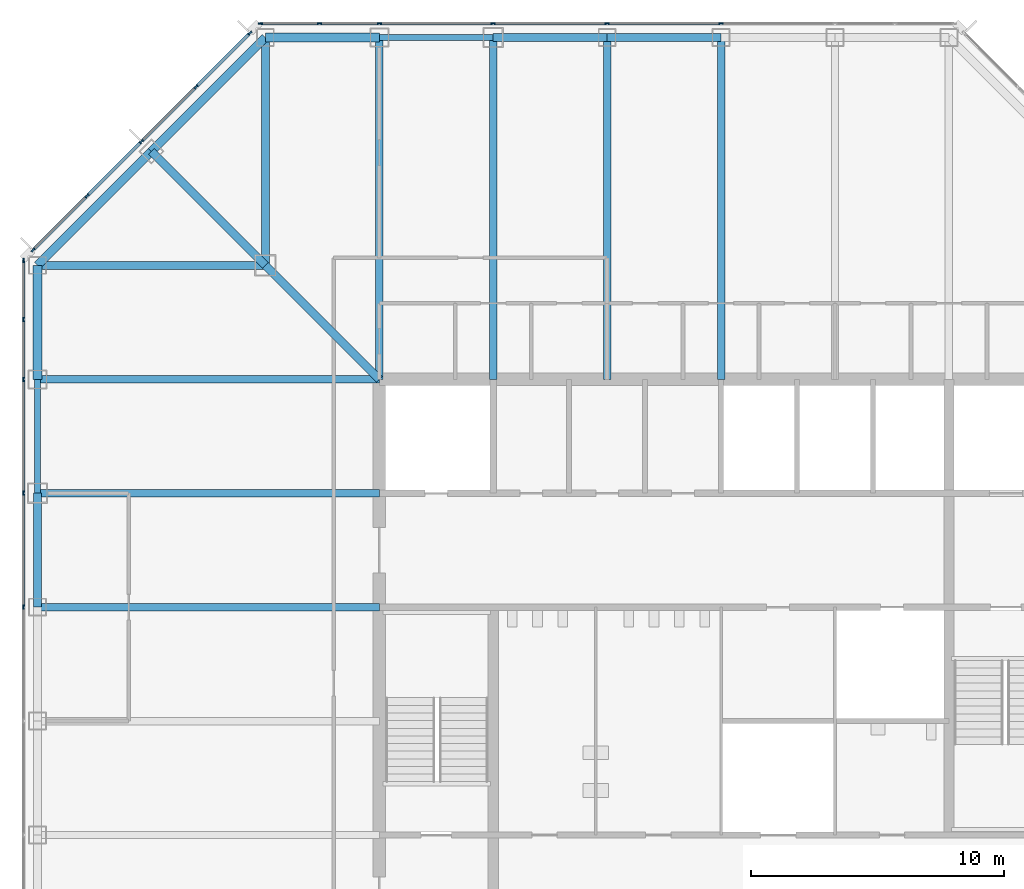
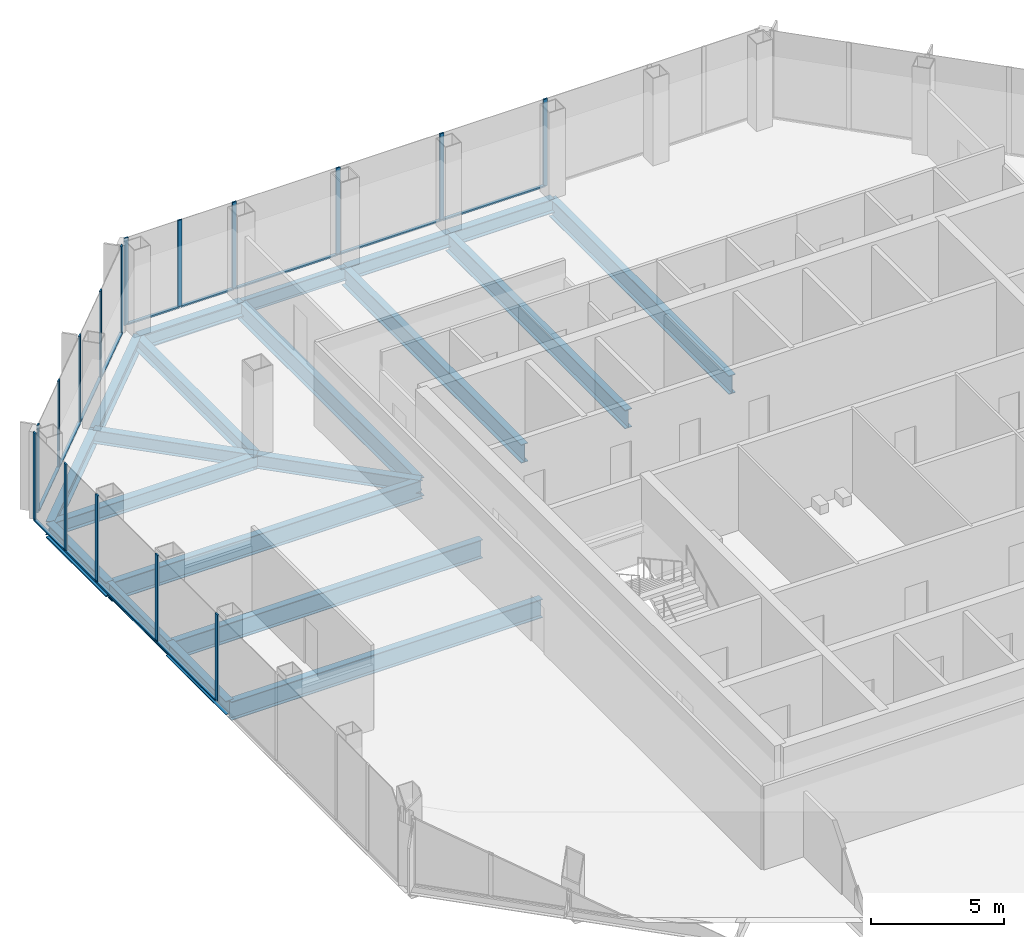
# One storey, part 5 of 12: 29 members, 20 beams, 3 elements without a shape of their own.
"""IFC4 building model written with IfcOpenShell, lengths in metres."""

from ifc_helpers import new_model, si_unit, direction, frame, origin, origin_2d, place, context, subcontext, project, spatial, rectangle, i_section, extrude, material, material_profile, profile_set, type_object, element, aggregate, save


model = new_model("IFC4")

# Units and contexts
model_context = context("Model", 3, precision=1e-05, world=origin(), true_north=direction((0.0, 1.0)))
body_context = subcontext(model_context, "Body", "Model", "MODEL_VIEW")
ifc_project = project(units=[si_unit("LENGTHUNIT", "METRE"), si_unit("AREAUNIT", "SQUARE_METRE"), si_unit("VOLUMEUNIT", "CUBIC_METRE"), si_unit("PLANEANGLEUNIT", "RADIAN"), si_unit("MASSUNIT", "GRAM", prefix="KILO")], contexts=[model_context])

# Site, building, storey
site_placement = place(None, origin())
site = spatial("IfcSite", under=ifc_project, at=site_placement, CompositionType="ELEMENT")
building_placement = place(site_placement, origin())
building = spatial("IfcBuilding", under=site, at=building_placement, Name="Corais Broadcast Tower", CompositionType="ELEMENT")
storey_placement = place(building_placement, frame((0.0, 0.0, 159.60009765625)))
storey = spatial("IfcBuildingStorey", under=building, at=storey_placement, Name="L36", CompositionType="ELEMENT", Elevation=159.60009765625)

# Beams
ifc_material_1 = material(Name="Steel ASTM A572 Grade 50", Category="steel")
ifc_material_profile_1 = material_profile(ifc_material_1, i_section(OverallWidth=0.323974609375, OverallDepth=0.611083984375, WebThickness=0.0126953125, FlangeThickness=0.01904296875, at=origin_2d()), Name="W610x155")
ifc_profile_set_1 = profile_set([ifc_material_profile_1], Name="Steel ASTM A572 Grade 50")
beam_type_1 = type_object("IfcBeamType", Name="Chamfer tie W610x155", PredefinedType="BEAM", material=ifc_profile_set_1)
beam_1_placement = place(storey_placement, frame((4.5, 49.5, -0.465576171875), z_axis=(0.707106781187, -0.707106781187, 0.0), x_axis=(0.707106781187, 0.707106781187, 0.0)))
element("IfcBeam", 1, at=beam_1_placement, inside=storey, type_object=beam_type_1, Name="B5 M/4 to L/5", PredefinedType="BEAM", context=body_context, shape_type="SweptSolid", body=[
    extrude(i_section(OverallWidth=0.323974609375, OverallDepth=0.611083984375, WebThickness=0.0126953125, FlangeThickness=0.01904296875, at=origin_2d()), origin(), (0.0, 0.0, 1.0), 6.364013671875),
])
ifc_material_2 = material(Name="Steel ASTM A572 Grade 50", Category="steel")
ifc_material_profile_2 = material_profile(ifc_material_2, i_section(OverallWidth=0.323974609375, OverallDepth=0.611083984375, WebThickness=0.0126953125, FlangeThickness=0.01904296875, at=origin_2d()), Name="W610x155")
ifc_profile_set_2 = profile_set([ifc_material_profile_2], Name="Steel ASTM A572 Grade 50")
beam_type_2 = type_object("IfcBeamType", Name="Corner diagonal W610x155", PredefinedType="BEAM", material=ifc_profile_set_2)
beam_2_placement = place(storey_placement, frame((9.0, 45.0, -0.465576171875), z_axis=(0.707106781187, -0.707106781187, 0.0), x_axis=(0.707106781187, 0.707106781187, 0.0)))
element("IfcBeam", 2, at=beam_2_placement, inside=storey, type_object=beam_type_2, Name="B6 L/5 to K/6", PredefinedType="BEAM", context=body_context, shape_type="SweptSolid", body=[
    extrude(i_section(OverallWidth=0.323974609375, OverallDepth=0.611083984375, WebThickness=0.0126953125, FlangeThickness=0.01904296875, at=origin_2d()), origin(), (0.0, 0.0, 1.0), 6.364013671875),
])
ifc_material_3 = material(Name="Steel ASTM A572 Grade 50", Category="steel")
ifc_material_profile_3 = material_profile(ifc_material_3, i_section(OverallWidth=0.323974609375, OverallDepth=0.611083984375, WebThickness=0.0126953125, FlangeThickness=0.01904296875, at=origin_2d()), Name="W610x155")
ifc_profile_set_3 = profile_set([ifc_material_profile_3], Name="Steel ASTM A572 Grade 50")
beam_type_3 = type_object("IfcBeamType", Name="Corner girder W610x155", PredefinedType="BEAM", material=ifc_profile_set_3)
for number, where, z_axis, x_axis, name in (
    (3, (0.0, 45.0, -0.465576171875), (1.0, 0.0, 0.0), (0.0, 1.0, 0.0), "B4 L/3 to L/5"),
    (4, (9.0, 54.0, -0.465576171875), (0.0, -1.0, 0.0), (1.0, 0.0, 0.0), "B4 N/5 to L/5"),
):
    element("IfcBeam", number, at=place(storey_placement, frame(where, z_axis=z_axis, x_axis=x_axis)), inside=storey, type_object=beam_type_3, Name=name, PredefinedType="BEAM", context=body_context, shape_type="SweptSolid", body=[
        extrude(i_section(OverallWidth=0.323974609375, OverallDepth=0.611083984375, WebThickness=0.0126953125, FlangeThickness=0.01904296875, at=origin_2d()), origin(), (0.0, 0.0, 1.0), 9.0),
    ])
ifc_material_4 = material(Name="Steel ASTM A572 Grade 50", Category="steel")
ifc_material_profile_4 = material_profile(ifc_material_4, i_section(OverallWidth=0.337890625, OverallDepth=0.677978515625, WebThickness=0.029541015625, FlangeThickness=0.052978515625, at=origin_2d()), Name="W610x415")
ifc_profile_set_4 = profile_set([ifc_material_profile_4], Name="Steel ASTM A572 Grade 50")
beam_type_4 = type_object("IfcBeamType", Name="Corner spandrel W610x415", PredefinedType="BEAM", material=ifc_profile_set_4)
for number, where, z_axis, x_axis, name in (
    (5, (0.0, 45.0, -0.4990234375), (0.0, -1.0, 0.0), (1.0, 0.0, 0.0), "SB10 L/3 to K/3"),
    (6, (13.5, 54.0, -0.4990234375), (-1.0, 0.0, 0.0), (0.0, -1.0, 0.0), "SB10 N/6 to N/5"),
):
    element("IfcBeam", number, at=place(storey_placement, frame(where, z_axis=z_axis, x_axis=x_axis)), inside=storey, type_object=beam_type_4, Name=name, PredefinedType="BEAM", context=body_context, shape_type="SweptSolid", body=[
        extrude(i_section(OverallWidth=0.337890625, OverallDepth=0.677978515625, WebThickness=0.029541015625, FlangeThickness=0.052978515625, at=origin_2d()), origin(), (0.0, 0.0, 1.0), 4.5),
    ])
ifc_material_5 = material(Name="Steel ASTM A572 Grade 50", Category="steel")
ifc_material_profile_5 = material_profile(ifc_material_5, i_section(OverallWidth=0.2939453125, OverallDepth=0.85107421875, WebThickness=0.01611328125, FlangeThickness=0.02685546875, at=origin_2d()), Name="W840x226")
ifc_profile_set_5 = profile_set([ifc_material_profile_5], Name="Steel ASTM A572 Grade 50")
beam_type_5 = type_object("IfcBeamType", Name="Floor beam W840x226", PredefinedType="BEAM", material=ifc_profile_set_5)
for number, where, z_axis, x_axis, name in (
    (7, (0.0, 31.5, -0.585693359375), (1.0, 0.0, 0.0), (0.0, 1.0, 0.0), "B1 H/3 to H/6"),
    (8, (0.0, 36.0, -0.585693359375), (1.0, 0.0, 0.0), (0.0, 1.0, 0.0), "B1 J/3 to J/6"),
    (9, (0.0, 40.5, -0.585693359375), (1.0, 0.0, 0.0), (0.0, 1.0, 0.0), "B1 K/3 to K/6"),
    (10, (13.5, 54.0, -0.585693359375), (0.0, -1.0, 0.0), (1.0, 0.0, 0.0), "B1 N/6 to K/6"),
    (11, (18.0, 54.0, -0.585693359375), (0.0, -1.0, 0.0), (1.0, 0.0, 0.0), "B1 N/7 to K/7"),
    (12, (22.5, 54.0, -0.585693359375), (0.0, -1.0, 0.0), (1.0, 0.0, 0.0), "B1 N/8 to K/8"),
    (13, (27.0, 54.0, -0.585693359375), (0.0, -1.0, 0.0), (1.0, 0.0, 0.0), "B1 N/9 to K/9"),
):
    element("IfcBeam", number, at=place(storey_placement, frame(where, z_axis=z_axis, x_axis=x_axis)), inside=storey, type_object=beam_type_5, Name=name, PredefinedType="BEAM", context=body_context, shape_type="SweptSolid", body=[
        extrude(i_section(OverallWidth=0.2939453125, OverallDepth=0.85107421875, WebThickness=0.01611328125, FlangeThickness=0.02685546875, at=origin_2d()), origin(), (0.0, 0.0, 1.0), 13.5),
    ])

# Curtain wall, members
ifc_material_6 = material(Name="Aluminium and glass", Category="aluminium")
curtain_wall_type = type_object("IfcCurtainWallType", Name="Unitised fritted curtain wall CW2", PredefinedType="NOTDEFINED", material=ifc_material_6)
curtain_wall_1_placement = place(storey_placement, origin())
curtain_wall_1 = element("IfcCurtainWall", 14, at=curtain_wall_1_placement, inside=storey, type_object=curtain_wall_type, Name="CW2 curtain wall L36 2", PredefinedType="NOTDEFINED")
ifc_material_7 = material(Name="Aluminium 6063-T6", Category="aluminium")
ifc_material_profile_6 = material_profile(ifc_material_7, rectangle(XDim=0.06494140625, YDim=0.179931640625, at=origin_2d()), Name="Mullion CW2 65x180")
ifc_profile_set_6 = profile_set([ifc_material_profile_6], Name="Aluminium 6063-T6")
member_type_1 = type_object("IfcMemberType", Name="Mullion CW2 65x180", PredefinedType="MULLION", material=ifc_profile_set_6)
member_1_placement = place(storey_placement, frame((-0.550048828125, 31.5, 0.0), z_axis=(0.0, 0.0, 1.0), x_axis=(-1.0, 0.0, 0.0)))
member_1 = element("IfcMember", 15, at=member_1_placement, type_object=member_type_1, Name="CW2 mullion 5", PredefinedType="MULLION", context=body_context, shape_type="SweptSolid", body=[
    extrude(rectangle(XDim=0.06494140625, YDim=0.179931640625, at=origin_2d()), origin(), (0.0, 0.0, 1.0), 4.0),
])
member_2_placement = place(storey_placement, frame((-0.550048828125, 36.0, 0.0), z_axis=(0.0, 0.0, 1.0), x_axis=(-1.0, 0.0, 0.0)))
member_2 = element("IfcMember", 16, at=member_2_placement, type_object=member_type_1, Name="CW2 mullion 6", PredefinedType="MULLION", context=body_context, shape_type="SweptSolid", body=[
    extrude(rectangle(XDim=0.06494140625, YDim=0.179931640625, at=origin_2d()), origin(), (0.0, 0.0, 1.0), 4.0),
])
member_3_placement = place(storey_placement, frame((-0.550048828125, 40.5, 0.0), z_axis=(0.0, 0.0, 1.0), x_axis=(-1.0, 0.0, 0.0)))
member_3 = element("IfcMember", 17, at=member_3_placement, type_object=member_type_1, Name="CW2 mullion 7", PredefinedType="MULLION", context=body_context, shape_type="SweptSolid", body=[
    extrude(rectangle(XDim=0.06494140625, YDim=0.179931640625, at=origin_2d()), origin(), (0.0, 0.0, 1.0), 4.0),
])
member_4_placement = place(storey_placement, frame((-0.550048828125, 42.864013671875, 0.0), z_axis=(0.0, 0.0, 1.0), x_axis=(-1.0, 0.0, 0.0)))
member_4 = element("IfcMember", 18, at=member_4_placement, type_object=member_type_1, Name="CW2 mullion 8", PredefinedType="MULLION", context=body_context, shape_type="SweptSolid", body=[
    extrude(rectangle(XDim=0.06494140625, YDim=0.179931640625, at=origin_2d()), origin(), (0.0, 0.0, 1.0), 4.0),
])
member_5_placement = place(storey_placement, frame((-0.550048828125, 45.1953125, 0.0), z_axis=(0.0, 0.0, 1.0), x_axis=(-1.0, 0.0, 0.0)))
member_5 = element("IfcMember", 19, at=member_5_placement, type_object=member_type_1, Name="CW2 mullion 9", PredefinedType="MULLION", context=body_context, shape_type="SweptSolid", body=[
    extrude(rectangle(XDim=0.06494140625, YDim=0.179931640625, at=origin_2d()), origin(), (0.0, 0.0, 1.0), 4.0),
])

curtain_wall_2_placement = place(storey_placement, origin())
curtain_wall_2 = element("IfcCurtainWall", 20, at=curtain_wall_2_placement, inside=storey, type_object=curtain_wall_type, Name="CW2 curtain wall L36 3", PredefinedType="NOTDEFINED")
member_6_placement = place(storey_placement, frame((-0.17333984375, 45.6044921875, 0.0), z_axis=(0.0, 0.0, 1.0), x_axis=(-0.707106781187, 0.707106781187, 0.0)))
member_6 = element("IfcMember", 21, at=member_6_placement, type_object=member_type_1, Name="CW2 mullion 1", PredefinedType="MULLION", context=body_context, shape_type="SweptSolid", body=[
    extrude(rectangle(XDim=0.06494140625, YDim=0.179931640625, at=origin_2d()), origin(), (0.0, 0.0, 1.0), 4.0),
])
member_7_placement = place(storey_placement, frame((1.957275390625, 47.735107421875, 0.0), z_axis=(0.0, 0.0, 1.0), x_axis=(-0.707106781187, 0.707106781187, 0.0)))
member_7 = element("IfcMember", 22, at=member_7_placement, type_object=member_type_1, Name="CW2 mullion 2", PredefinedType="MULLION", context=body_context, shape_type="SweptSolid", body=[
    extrude(rectangle(XDim=0.06494140625, YDim=0.179931640625, at=origin_2d()), origin(), (0.0, 0.0, 1.0), 4.0),
])
member_8_placement = place(storey_placement, frame((4.111083984375, 49.888916015625, 0.0), z_axis=(0.0, 0.0, 1.0), x_axis=(-0.707106781187, 0.707106781187, 0.0)))
member_8 = element("IfcMember", 23, at=member_8_placement, type_object=member_type_1, Name="CW2 mullion 3", PredefinedType="MULLION", context=body_context, shape_type="SweptSolid", body=[
    extrude(rectangle(XDim=0.06494140625, YDim=0.179931640625, at=origin_2d()), origin(), (0.0, 0.0, 1.0), 4.0),
])
member_9_placement = place(storey_placement, frame((6.264892578125, 52.042724609375, 0.0), z_axis=(0.0, 0.0, 1.0), x_axis=(-0.707106781187, 0.707106781187, 0.0)))
member_9 = element("IfcMember", 24, at=member_9_placement, type_object=member_type_1, Name="CW2 mullion 4", PredefinedType="MULLION", context=body_context, shape_type="SweptSolid", body=[
    extrude(rectangle(XDim=0.06494140625, YDim=0.179931640625, at=origin_2d()), origin(), (0.0, 0.0, 1.0), 4.0),
])
member_10_placement = place(storey_placement, frame((8.3955078125, 54.17333984375, 0.0), z_axis=(0.0, 0.0, 1.0), x_axis=(-0.707106781187, 0.707106781187, 0.0)))
member_10 = element("IfcMember", 25, at=member_10_placement, type_object=member_type_1, Name="CW2 mullion 5", PredefinedType="MULLION", context=body_context, shape_type="SweptSolid", body=[
    extrude(rectangle(XDim=0.06494140625, YDim=0.179931640625, at=origin_2d()), origin(), (0.0, 0.0, 1.0), 4.0),
])

curtain_wall_3_placement = place(storey_placement, origin())
curtain_wall_3 = element("IfcCurtainWall", 26, at=curtain_wall_3_placement, inside=storey, type_object=curtain_wall_type, Name="CW2 curtain wall L36 4", PredefinedType="NOTDEFINED")
member_11_placement = place(storey_placement, frame((8.8046875, 54.550048828125, 0.0), z_axis=(0.0, 0.0, 1.0), x_axis=(0.0, 1.0, 0.0)))
member_11 = element("IfcMember", 27, at=member_11_placement, type_object=member_type_1, Name="CW2 mullion 1", PredefinedType="MULLION", context=body_context, shape_type="SweptSolid", body=[
    extrude(rectangle(XDim=0.06494140625, YDim=0.179931640625, at=origin_2d()), origin(), (0.0, 0.0, 1.0), 4.0),
])
member_12_placement = place(storey_placement, frame((11.135986328125, 54.550048828125, 0.0), z_axis=(0.0, 0.0, 1.0), x_axis=(0.0, 1.0, 0.0)))
member_12 = element("IfcMember", 28, at=member_12_placement, type_object=member_type_1, Name="CW2 mullion 2", PredefinedType="MULLION", context=body_context, shape_type="SweptSolid", body=[
    extrude(rectangle(XDim=0.06494140625, YDim=0.179931640625, at=origin_2d()), origin(), (0.0, 0.0, 1.0), 4.0),
])
member_13_placement = place(storey_placement, frame((13.5, 54.550048828125, 0.0), z_axis=(0.0, 0.0, 1.0), x_axis=(0.0, 1.0, 0.0)))
member_13 = element("IfcMember", 29, at=member_13_placement, type_object=member_type_1, Name="CW2 mullion 3", PredefinedType="MULLION", context=body_context, shape_type="SweptSolid", body=[
    extrude(rectangle(XDim=0.06494140625, YDim=0.179931640625, at=origin_2d()), origin(), (0.0, 0.0, 1.0), 4.0),
])
member_14_placement = place(storey_placement, frame((18.0, 54.550048828125, 0.0), z_axis=(0.0, 0.0, 1.0), x_axis=(0.0, 1.0, 0.0)))
member_14 = element("IfcMember", 30, at=member_14_placement, type_object=member_type_1, Name="CW2 mullion 4", PredefinedType="MULLION", context=body_context, shape_type="SweptSolid", body=[
    extrude(rectangle(XDim=0.06494140625, YDim=0.179931640625, at=origin_2d()), origin(), (0.0, 0.0, 1.0), 4.0),
])
member_15_placement = place(storey_placement, frame((22.5, 54.550048828125, 0.0), z_axis=(0.0, 0.0, 1.0), x_axis=(0.0, 1.0, 0.0)))
member_15 = element("IfcMember", 31, at=member_15_placement, type_object=member_type_1, Name="CW2 mullion 5", PredefinedType="MULLION", context=body_context, shape_type="SweptSolid", body=[
    extrude(rectangle(XDim=0.06494140625, YDim=0.179931640625, at=origin_2d()), origin(), (0.0, 0.0, 1.0), 4.0),
])
member_16_placement = place(storey_placement, frame((27.0, 54.550048828125, 0.0), z_axis=(0.0, 0.0, 1.0), x_axis=(0.0, 1.0, 0.0)))
member_16 = element("IfcMember", 32, at=member_16_placement, type_object=member_type_1, Name="CW2 mullion 6", PredefinedType="MULLION", context=body_context, shape_type="SweptSolid", body=[
    extrude(rectangle(XDim=0.06494140625, YDim=0.179931640625, at=origin_2d()), origin(), (0.0, 0.0, 1.0), 4.0),
])

# Beams
ifc_material_8 = material(Name="Steel ASTM A572 Grade 50", Category="steel")
ifc_material_profile_7 = material_profile(ifc_material_8, i_section(OverallWidth=0.22900390625, OverallDepth=0.612060546875, WebThickness=0.011962890625, FlangeThickness=0.01953125, at=origin_2d()), Name="W610x125")
ifc_profile_set_7 = profile_set([ifc_material_profile_7], Name="Steel ASTM A572 Grade 50")
beam_type_6 = type_object("IfcBeamType", Name="Pinned spandrel W610x125", PredefinedType="BEAM", material=ifc_profile_set_7)
for number, where, z_axis, x_axis, name in (
    (33, (0.0, 40.5, -0.466064453125), (0.0, -1.0, 0.0), (1.0, 0.0, 0.0), "SB7 K/3 to J/3"),
    (34, (18.0, 54.0, -0.466064453125), (-1.0, 0.0, 0.0), (0.0, -1.0, 0.0), "SB7 N/7 to N/6"),
):
    element("IfcBeam", number, at=place(storey_placement, frame(where, z_axis=z_axis, x_axis=x_axis)), inside=storey, type_object=beam_type_6, Name=name, PredefinedType="BEAM", context=body_context, shape_type="SweptSolid", body=[
        extrude(i_section(OverallWidth=0.22900390625, OverallDepth=0.612060546875, WebThickness=0.011962890625, FlangeThickness=0.01953125, at=origin_2d()), origin(), (0.0, 0.0, 1.0), 4.5),
    ])
ifc_material_9 = material(Name="Steel ASTM A572 Grade 50", Category="steel")
ifc_material_profile_8 = material_profile(ifc_material_9, i_section(OverallWidth=0.3291015625, OverallDepth=0.635009765625, WebThickness=0.017822265625, FlangeThickness=0.031005859375, at=origin_2d()), Name="W610x241")
ifc_profile_set_8 = profile_set([ifc_material_profile_8], Name="Steel ASTM A572 Grade 50")
beam_type_7 = type_object("IfcBeamType", Name="Spandrel W610x241", PredefinedType="BEAM", material=ifc_profile_set_8)
for number, where, z_axis, x_axis, name in (
    (35, (0.0, 36.0, -0.4775390625), (0.0, -1.0, 0.0), (1.0, 0.0, 0.0), "SB1 J/3 to H/3"),
    (36, (22.5, 54.0, -0.4775390625), (-1.0, 0.0, 0.0), (0.0, -1.0, 0.0), "SB1 N/8 to N/7"),
    (37, (27.0, 54.0, -0.4775390625), (-1.0, 0.0, 0.0), (0.0, -1.0, 0.0), "SB1 N/9 to N/8"),
):
    element("IfcBeam", number, at=place(storey_placement, frame(where, z_axis=z_axis, x_axis=x_axis)), inside=storey, type_object=beam_type_7, Name=name, PredefinedType="BEAM", context=body_context, shape_type="SweptSolid", body=[
        extrude(i_section(OverallWidth=0.3291015625, OverallDepth=0.635009765625, WebThickness=0.017822265625, FlangeThickness=0.031005859375, at=origin_2d()), origin(), (0.0, 0.0, 1.0), 4.5),
    ])
for number, where, z_axis, x_axis, name in (
    (38, (4.5, 49.5, -0.4775390625), (-0.707106781187, -0.707106781187, 0.0), (0.707106781187, -0.707106781187, 0.0), "SB1 M/4 to L/3"),
    (39, (9.0, 54.0, -0.4775390625), (-0.707106781187, -0.707106781187, 0.0), (0.707106781187, -0.707106781187, 0.0), "SB1 N/5 to M/4"),
):
    element("IfcBeam", number, at=place(storey_placement, frame(where, z_axis=z_axis, x_axis=x_axis)), inside=storey, type_object=beam_type_7, Name=name, PredefinedType="BEAM", context=body_context, shape_type="SweptSolid", body=[
        extrude(i_section(OverallWidth=0.3291015625, OverallDepth=0.635009765625, WebThickness=0.017822265625, FlangeThickness=0.031005859375, at=origin_2d()), origin(), (0.0, 0.0, 1.0), 6.364013671875),
    ])

# Member
ifc_material_10 = material(Name="Aluminium 6063-T6", Category="aluminium")
ifc_material_profile_9 = material_profile(ifc_material_10, rectangle(XDim=0.1298828125, YDim=0.06494140625, at=origin_2d()), Name="Transom CW2 65x130")
ifc_profile_set_9 = profile_set([ifc_material_profile_9], Name="Aluminium 6063-T6")
member_type_2 = type_object("IfcMemberType", Name="Transom CW2 65x130", PredefinedType="USERDEFINED", material=ifc_profile_set_9)
member_17_placement = place(storey_placement, frame((-0.550048828125, 31.532470703125, 0.032470703125), z_axis=(0.0, 1.0, 0.0), x_axis=(-1.0, 0.0, 0.0)))
member_17 = element("IfcMember", 40, at=member_17_placement, type_object=member_type_2, Name="CW2 transom 5.1", ObjectType="TRANSOM", PredefinedType="USERDEFINED", context=body_context, shape_type="SweptSolid", body=[
    extrude(rectangle(XDim=0.1298828125, YDim=0.06494140625, at=origin_2d()), origin(), (0.0, 0.0, 1.0), 4.43505859375),
])

member_18_placement = place(storey_placement, frame((-0.550048828125, 36.032470703125, 0.032470703125), z_axis=(0.0, 1.0, 0.0), x_axis=(-1.0, 0.0, 0.0)))
member_18 = element("IfcMember", 41, at=member_18_placement, type_object=member_type_2, Name="CW2 transom 6.1", ObjectType="TRANSOM", PredefinedType="USERDEFINED", context=body_context, shape_type="SweptSolid", body=[
    extrude(rectangle(XDim=0.1298828125, YDim=0.06494140625, at=origin_2d()), origin(), (0.0, 0.0, 1.0), 4.43505859375),
])

member_19_placement = place(storey_placement, frame((-0.550048828125, 40.532470703125, 0.032470703125), z_axis=(0.0, 1.0, 0.0), x_axis=(-1.0, 0.0, 0.0)))
member_19 = element("IfcMember", 42, at=member_19_placement, type_object=member_type_2, Name="CW2 transom 7.1", ObjectType="TRANSOM", PredefinedType="USERDEFINED", context=body_context, shape_type="SweptSolid", body=[
    extrude(rectangle(XDim=0.1298828125, YDim=0.06494140625, at=origin_2d()), origin(), (0.0, 0.0, 1.0), 2.298828125),
])

member_20_placement = place(storey_placement, frame((-0.550048828125, 42.896484375, 0.032470703125), z_axis=(0.0, 1.0, 0.0), x_axis=(-1.0, 0.0, 0.0)))
member_20 = element("IfcMember", 43, at=member_20_placement, type_object=member_type_2, Name="CW2 transom 8.1", ObjectType="TRANSOM", PredefinedType="USERDEFINED", context=body_context, shape_type="SweptSolid", body=[
    extrude(rectangle(XDim=0.1298828125, YDim=0.06494140625, at=origin_2d()), origin(), (0.0, 0.0, 1.0), 2.266357421875),
])

aggregate(curtain_wall_1, [member_1, member_2, member_3, member_4, member_5, member_17, member_18, member_19, member_20])

member_21_placement = place(storey_placement, frame((-0.150390625, 45.62744140625, 0.032470703125), z_axis=(0.707106781187, 0.707106781187, 0.0), x_axis=(-0.707106781187, 0.707106781187, 0.0)))
member_21 = element("IfcMember", 44, at=member_21_placement, type_object=member_type_2, Name="CW2 transom 1.1", ObjectType="TRANSOM", PredefinedType="USERDEFINED", context=body_context, shape_type="SweptSolid", body=[
    extrude(rectangle(XDim=0.1298828125, YDim=0.06494140625, at=origin_2d()), origin(), (0.0, 0.0, 1.0), 2.9482421875),
])

member_22_placement = place(storey_placement, frame((1.980224609375, 47.758056640625, 0.032470703125), z_axis=(0.707106781187, 0.707106781187, 0.0), x_axis=(-0.707106781187, 0.707106781187, 0.0)))
member_22 = element("IfcMember", 45, at=member_22_placement, type_object=member_type_2, Name="CW2 transom 2.1", ObjectType="TRANSOM", PredefinedType="USERDEFINED", context=body_context, shape_type="SweptSolid", body=[
    extrude(rectangle(XDim=0.1298828125, YDim=0.06494140625, at=origin_2d()), origin(), (0.0, 0.0, 1.0), 2.98095703125),
])

member_23_placement = place(storey_placement, frame((4.134033203125, 49.911865234375, 0.032470703125), z_axis=(0.707106781187, 0.707106781187, 0.0), x_axis=(-0.707106781187, 0.707106781187, 0.0)))
member_23 = element("IfcMember", 46, at=member_23_placement, type_object=member_type_2, Name="CW2 transom 3.1", ObjectType="TRANSOM", PredefinedType="USERDEFINED", context=body_context, shape_type="SweptSolid", body=[
    extrude(rectangle(XDim=0.1298828125, YDim=0.06494140625, at=origin_2d()), origin(), (0.0, 0.0, 1.0), 2.98095703125),
])

member_24_placement = place(storey_placement, frame((6.287841796875, 52.065673828125, 0.032470703125), z_axis=(0.707106781187, 0.707106781187, 0.0), x_axis=(-0.707106781187, 0.707106781187, 0.0)))
member_24 = element("IfcMember", 47, at=member_24_placement, type_object=member_type_2, Name="CW2 transom 4.1", ObjectType="TRANSOM", PredefinedType="USERDEFINED", context=body_context, shape_type="SweptSolid", body=[
    extrude(rectangle(XDim=0.1298828125, YDim=0.06494140625, at=origin_2d()), origin(), (0.0, 0.0, 1.0), 2.9482421875),
])

aggregate(curtain_wall_2, [member_6, member_7, member_8, member_9, member_10, member_21, member_22, member_23, member_24])

member_25_placement = place(storey_placement, frame((8.837158203125, 54.550048828125, 0.032470703125), z_axis=(1.0, 0.0, 0.0), x_axis=(0.0, 1.0, 0.0)))
member_25 = element("IfcMember", 48, at=member_25_placement, type_object=member_type_2, Name="CW2 transom 1.1", ObjectType="TRANSOM", PredefinedType="USERDEFINED", context=body_context, shape_type="SweptSolid", body=[
    extrude(rectangle(XDim=0.1298828125, YDim=0.06494140625, at=origin_2d()), origin(), (0.0, 0.0, 1.0), 2.266357421875),
])

member_26_placement = place(storey_placement, frame((11.168701171875, 54.550048828125, 0.032470703125), z_axis=(1.0, 0.0, 0.0), x_axis=(0.0, 1.0, 0.0)))
member_26 = element("IfcMember", 49, at=member_26_placement, type_object=member_type_2, Name="CW2 transom 2.1", ObjectType="TRANSOM", PredefinedType="USERDEFINED", context=body_context, shape_type="SweptSolid", body=[
    extrude(rectangle(XDim=0.1298828125, YDim=0.06494140625, at=origin_2d()), origin(), (0.0, 0.0, 1.0), 2.298828125),
])

member_27_placement = place(storey_placement, frame((13.532470703125, 54.550048828125, 0.032470703125), z_axis=(1.0, 0.0, 0.0), x_axis=(0.0, 1.0, 0.0)))
member_27 = element("IfcMember", 50, at=member_27_placement, type_object=member_type_2, Name="CW2 transom 3.1", ObjectType="TRANSOM", PredefinedType="USERDEFINED", context=body_context, shape_type="SweptSolid", body=[
    extrude(rectangle(XDim=0.1298828125, YDim=0.06494140625, at=origin_2d()), origin(), (0.0, 0.0, 1.0), 4.43505859375),
])

member_28_placement = place(storey_placement, frame((18.032470703125, 54.550048828125, 0.032470703125), z_axis=(1.0, 0.0, 0.0), x_axis=(0.0, 1.0, 0.0)))
member_28 = element("IfcMember", 51, at=member_28_placement, type_object=member_type_2, Name="CW2 transom 4.1", ObjectType="TRANSOM", PredefinedType="USERDEFINED", context=body_context, shape_type="SweptSolid", body=[
    extrude(rectangle(XDim=0.1298828125, YDim=0.06494140625, at=origin_2d()), origin(), (0.0, 0.0, 1.0), 4.43505859375),
])

member_29_placement = place(storey_placement, frame((22.532470703125, 54.550048828125, 0.032470703125), z_axis=(1.0, 0.0, 0.0), x_axis=(0.0, 1.0, 0.0)))
member_29 = element("IfcMember", 52, at=member_29_placement, type_object=member_type_2, Name="CW2 transom 5.1", ObjectType="TRANSOM", PredefinedType="USERDEFINED", context=body_context, shape_type="SweptSolid", body=[
    extrude(rectangle(XDim=0.1298828125, YDim=0.06494140625, at=origin_2d()), origin(), (0.0, 0.0, 1.0), 4.43505859375),
])

aggregate(curtain_wall_3, [member_11, member_12, member_13, member_14, member_15, member_16, member_25, member_26, member_27, member_28, member_29])

save(model, "model.ifc")
